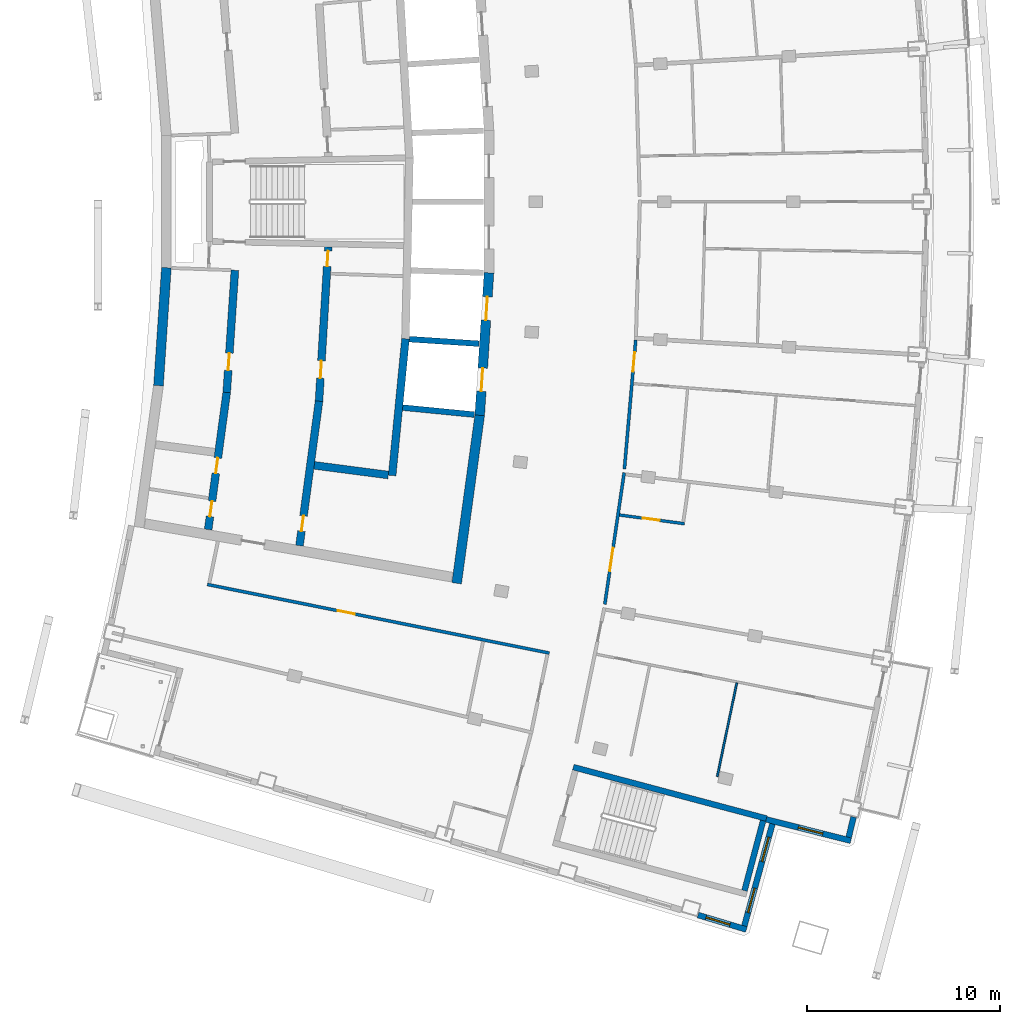
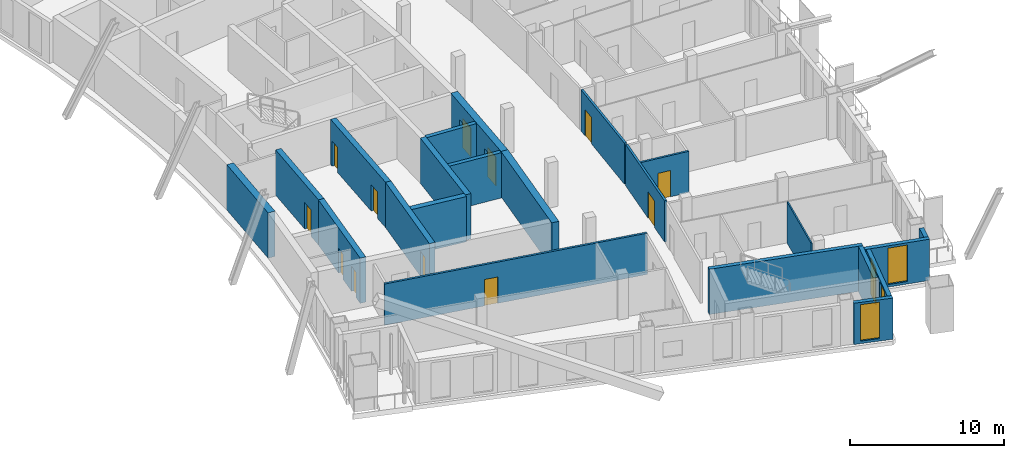
# One storey, part 8 of 17: 22 walls, 12 doors, 4 windows, 16 openings.
"""IFC4 building model written with IfcOpenShell, lengths in metres."""

from ifc_helpers import new_model, si_unit, direction, frame, frame_2d, origin, place, context, subcontext, project, spatial, rectangle, extrude, material, layer, layer_set, type_object, element, fill, save


model = new_model("IFC4")

# Units and contexts
model_context = context("Model", 3, precision=1e-05, world=origin(), true_north=direction((0.0, 1.0)))
body_context = subcontext(model_context, "Body", "Model", "MODEL_VIEW")
ifc_project = project(units=[si_unit("LENGTHUNIT", "METRE"), si_unit("AREAUNIT", "SQUARE_METRE"), si_unit("VOLUMEUNIT", "CUBIC_METRE"), si_unit("PLANEANGLEUNIT", "RADIAN"), si_unit("MASSUNIT", "GRAM", prefix="KILO")], contexts=[model_context])

# Site, building, storey
site_placement = place(None, origin())
site = spatial("IfcSite", under=ifc_project, at=site_placement, CompositionType="ELEMENT")
building_placement = place(site_placement, origin())
building = spatial("IfcBuilding", under=site, at=building_placement, Name="Alderwake Tower", CompositionType="ELEMENT")
storey_placement = place(building_placement, frame((0.0, 0.0, 278.0)))
storey = spatial("IfcBuildingStorey", under=building, at=storey_placement, Name="L69", CompositionType="ELEMENT", Elevation=278.0)

# Walls
ifc_material_1 = material(Name="Concrete C70/85", Category="concrete")
ifc_layer_1 = layer(ifc_material_1, 0.5)
ifc_layer_set_1 = layer_set([ifc_layer_1], Name="Core wall outer 500 C70-85")
wall_type_1 = type_object("IfcWallType", Name="Core wall outer 500 C70-85", PredefinedType="SHEAR", material=ifc_layer_set_1)
wall_1_placement = place(storey_placement, frame((16.280517578125, 51.4765625, 0.0), z_axis=(0.0, 0.0, 1.0), x_axis=(0.066863022947, 0.997762164127, 0.0)))
element("IfcWall", 1, at=wall_1_placement, inside=storey, type_object=wall_type_1, Name="Core wall CW.027", PredefinedType="SHEAR", context=body_context, shape_type="SweptSolid", body=[
    extrude(rectangle(XDim=6.123291015625, YDim=0.5, at=frame_2d((3.0615234375, 0.0))), origin(), (0.0, 0.0, 1.0), 3.60009765625),
])
wall_2_placement = place(storey_placement, frame((31.71728515625, 41.247314453125, 0.0), z_axis=(0.0, 0.0, 1.0), x_axis=(0.1358539401, 0.990728876615, 0.0)))
element("IfcWall", 2, at=wall_2_placement, inside=storey, type_object=wall_type_1, Name="Core wall CW.022", PredefinedType="SHEAR", context=body_context, shape_type="SweptSolid", body=[
    extrude(rectangle(XDim=8.794921875, YDim=0.5, at=frame_2d((4.3974609375, 0.0))), origin(), (0.0, 0.0, 1.0), 3.60009765625),
])

# Wall, openings, doors
wall_3_placement = place(storey_placement, frame((32.91015625, 49.942138671875, 0.0), z_axis=(0.0, 0.0, 1.0), x_axis=(0.064980500916, 0.997886533881, 0.0)))
wall_3 = element("IfcWall", 3, at=wall_3_placement, inside=storey, type_object=wall_type_1, Name="Core wall CW.021", PredefinedType="SHEAR", context=body_context, shape_type="SweptSolid", body=[
    extrude(rectangle(XDim=7.39404296875, YDim=0.5, at=frame_2d((3.697021484375, 0.0))), origin(), (0.0, 0.0, 1.0), 3.60009765625),
])
opening_1_placement = place(wall_3_placement, frame((1.253173828125, 0.0, 0.0)))
opening_1 = element("IfcOpeningElement", 4, at=opening_1_placement, cuts=wall_3, Name="Opening LD-HP1", PredefinedType="OPENING", context=body_context, shape_type="SweptSolid", body=[
    extrude(rectangle(XDim=1.199951171875, YDim=2.300048828125, at=frame_2d((0.60009765625, 1.14990234375))), frame((0.0, 0.260009765625, 0.0), z_axis=(0.0, -1.0, 0.0), x_axis=(1.0, 0.0, 0.0)), (0.0, 0.0, 1.0), 0.52001953125),
])
opening_2_placement = place(wall_3_placement, frame((4.941650390625, 0.0, 0.0)))
opening_2 = element("IfcOpeningElement", 5, at=opening_2_placement, cuts=wall_3, Name="Opening LD-HP2", PredefinedType="OPENING", context=body_context, shape_type="SweptSolid", body=[
    extrude(rectangle(XDim=1.199951171875, YDim=2.300048828125, at=frame_2d((0.60009765625, 1.14990234375))), frame((0.0, 0.260009765625, 0.0), z_axis=(0.0, -1.0, 0.0), x_axis=(1.0, 0.0, 0.0)), (0.0, 0.0, 1.0), 0.52001953125),
])
ifc_material_2 = material(Name="Stainless steel sliding leaf", Category="steel")
door_type_1 = type_object("IfcDoorType", Name="Lift landing door 1200", OperationType="SLIDING_TO_LEFT", PredefinedType="DOOR", material=ifc_material_2)
door_1_placement = place(opening_1_placement, origin())
door_1 = element("IfcDoor", 6, at=door_1_placement, inside=storey, type_object=door_type_1, Name="Lift landing door HP1", OperationType="SLIDING_TO_LEFT", OverallHeight=2.300048828125, OverallWidth=1.199951171875, PredefinedType="DOOR", context=body_context, shape_type="SweptSolid", body=[
    extrude(rectangle(XDim=1.199951171875, YDim=2.300048828125, at=frame_2d((0.60009765625, 1.14990234375))), frame((0.0, 0.02490234375, 0.0), z_axis=(0.0, -1.0, 0.0), x_axis=(1.0, 0.0, 0.0)), (0.0, 0.0, 1.0), 0.050048828125),
])
fill(opening_1, door_1)
door_2_placement = place(opening_2_placement, origin())
door_2 = element("IfcDoor", 7, at=door_2_placement, inside=storey, type_object=door_type_1, Name="Lift landing door HP2", OperationType="SLIDING_TO_LEFT", OverallHeight=2.300048828125, OverallWidth=1.199951171875, PredefinedType="DOOR", context=body_context, shape_type="SweptSolid", body=[
    extrude(rectangle(XDim=1.199951171875, YDim=2.300048828125, at=frame_2d((0.60009765625, 1.14990234375))), frame((0.0, 0.02490234375, 0.0), z_axis=(0.0, -1.0, 0.0), x_axis=(1.0, 0.0, 0.0)), (0.0, 0.0, 1.0), 0.050048828125),
])
fill(opening_2, door_2)

# Walls
ifc_material_3 = material(Name="Concrete C70/85", Category="concrete")
ifc_layer_2 = layer(ifc_material_3, 0.300048828125)
ifc_layer_set_2 = layer_set([ifc_layer_2], Name="Core wall shaft 300 C70-85")
wall_type_2 = type_object("IfcWallType", Name="Core wall shaft 300 C70-85", PredefinedType="SHEAR", material=ifc_layer_set_2)
wall_4_placement = place(storey_placement, frame((28.922119140625, 50.341796875, 0.0), z_axis=(0.0, 0.0, 1.0), x_axis=(0.995245719762, -0.097395879255, 0.0)))
element("IfcWall", 8, at=wall_4_placement, inside=storey, type_object=wall_type_2, Name="Core wall CW.064", PredefinedType="SHEAR", context=body_context, shape_type="SweptSolid", body=[
    extrude(rectangle(XDim=3.7275390625, YDim=0.300048828125, at=frame_2d((1.86376953125, 0.0))), origin(), (0.0, 0.0, 1.0), 3.60009765625),
])
wall_5_placement = place(storey_placement, frame((29.268798828125, 53.884521484375, 0.0), z_axis=(0.0, 0.0, 1.0), x_axis=(0.997885735437, -0.064992761217, 0.0)))
element("IfcWall", 9, at=wall_5_placement, inside=storey, type_object=wall_type_2, Name="Core wall CW.078", PredefinedType="SHEAR", context=body_context, shape_type="SweptSolid", body=[
    extrude(rectangle(XDim=3.60986328125, YDim=0.300048828125, at=frame_2d((1.804931640625, 0.0))), origin(), (0.0, 0.0, 1.0), 3.60009765625),
])

# Wall, openings, doors
ifc_material_4 = material(Name="Concrete C70/85", Category="concrete")
ifc_layer_3 = layer(ifc_material_4, 0.39990234375)
ifc_layer_set_3 = layer_set([ifc_layer_3], Name="Core wall spine 400 C70-85")
wall_type_3 = type_object("IfcWallType", Name="Core wall spine 400 C70-85", PredefinedType="SHEAR", material=ifc_layer_set_3)
wall_6_placement = place(storey_placement, frame((19.814697265625, 51.143798828125, 0.0), z_axis=(0.0, 0.0, 1.0), x_axis=(-0.133823115837, -0.991005233925, 0.0)))
wall_6 = element("IfcWall", 10, at=wall_6_placement, inside=storey, type_object=wall_type_3, Name="Core wall CW.033", PredefinedType="SHEAR", context=body_context, shape_type="SweptSolid", body=[
    extrude(rectangle(XDim=7.1787109375, YDim=0.39990234375, at=frame_2d((3.58935546875, 0.0))), origin(), (0.0, 0.0, 1.0), 3.60009765625),
])
opening_3_placement = place(wall_6_placement, frame((5.69677734375, 0.0, 0.0)))
opening_3 = element("IfcOpeningElement", 11, at=opening_3_placement, cuts=wall_6, Name="Opening C009", PredefinedType="OPENING", context=body_context, shape_type="SweptSolid", body=[
    extrude(rectangle(XDim=0.800048828125, YDim=2.0, at=frame_2d((0.39990234375, 1.0))), frame((0.0, 0.2099609375, 0.0), z_axis=(0.0, -1.0, 0.0), x_axis=(1.0, 0.0, 0.0)), (0.0, 0.0, 1.0), 0.419921875),
])
opening_4_placement = place(wall_6_placement, frame((3.443115234375, 0.0, 0.0)))
opening_4 = element("IfcOpeningElement", 12, at=opening_4_placement, cuts=wall_6, Name="Opening C010", PredefinedType="OPENING", context=body_context, shape_type="SweptSolid", body=[
    extrude(rectangle(XDim=0.800048828125, YDim=2.0, at=frame_2d((0.39990234375, 1.0))), frame((0.0, 0.2099609375, 0.0), z_axis=(0.0, -1.0, 0.0), x_axis=(1.0, 0.0, 0.0)), (0.0, 0.0, 1.0), 0.419921875),
])
ifc_material_5 = material(Name="Painted steel leaf, rated", Category="steel")
door_type_2 = type_object("IfcDoorType", Name="Riser access door 800", OperationType="SINGLE_SWING_LEFT", PredefinedType="DOOR", material=ifc_material_5)
door_3_placement = place(opening_3_placement, origin())
door_3 = element("IfcDoor", 13, at=door_3_placement, inside=storey, type_object=door_type_2, Name="Riser access door", OperationType="SINGLE_SWING_LEFT", OverallHeight=2.0, OverallWidth=0.800048828125, PredefinedType="DOOR", context=body_context, shape_type="SweptSolid", body=[
    extrude(rectangle(XDim=0.800048828125, YDim=2.0, at=frame_2d((0.39990234375, 1.0))), frame((0.0, 0.02490234375, 0.0), z_axis=(0.0, -1.0, 0.0), x_axis=(1.0, 0.0, 0.0)), (0.0, 0.0, 1.0), 0.050048828125),
])
fill(opening_3, door_3)
door_4_placement = place(opening_4_placement, origin())
door_4 = element("IfcDoor", 14, at=door_4_placement, inside=storey, type_object=door_type_2, Name="Riser access door", OperationType="SINGLE_SWING_RIGHT", OverallHeight=2.0, OverallWidth=0.800048828125, PredefinedType="DOOR", context=body_context, shape_type="SweptSolid", body=[
    extrude(rectangle(XDim=0.800048828125, YDim=2.0, at=frame_2d((0.39990234375, 1.0))), frame((0.0, 0.02490234375, 0.0), z_axis=(0.0, -1.0, 0.0), x_axis=(1.0, 0.0, 0.0)), (0.0, 0.0, 1.0), 0.050048828125),
])
fill(opening_4, door_4)

# Wall, opening, door
wall_7_placement = place(storey_placement, frame((20.2373046875, 57.451904296875, 0.0), z_axis=(0.0, 0.0, 1.0), x_axis=(-0.066884681503, -0.997760712486, 0.0)))
wall_7 = element("IfcWall", 15, at=wall_7_placement, inside=storey, type_object=wall_type_3, Name="Core wall CW.032", PredefinedType="SHEAR", context=body_context, shape_type="SweptSolid", body=[
    extrude(rectangle(XDim=6.336669921875, YDim=0.39990234375, at=frame_2d((3.16845703125, 0.0))), origin(), (0.0, 0.0, 1.0), 3.60009765625),
])
opening_5_placement = place(wall_7_placement, frame((4.29736328125, 0.0, 0.0)))
opening_5 = element("IfcOpeningElement", 16, at=opening_5_placement, cuts=wall_7, Name="Opening C037", PredefinedType="OPENING", context=body_context, shape_type="SweptSolid", body=[
    extrude(rectangle(XDim=0.89990234375, YDim=2.10009765625, at=frame_2d((0.449951171875, 1.050048828125))), frame((0.0, 0.2099609375, 0.0), z_axis=(0.0, -1.0, 0.0), x_axis=(1.0, 0.0, 0.0)), (0.0, 0.0, 1.0), 0.419921875),
])
ifc_material_6 = material(Name="Painted steel leaf", Category="steel")
door_type_3 = type_object("IfcDoorType", Name="Core room door 900", OperationType="SINGLE_SWING_LEFT", PredefinedType="DOOR", material=ifc_material_6)
door_5_placement = place(opening_5_placement, origin())
door_5 = element("IfcDoor", 17, at=door_5_placement, inside=storey, type_object=door_type_3, Name="Room door", OperationType="SINGLE_SWING_RIGHT", OverallHeight=2.10009765625, OverallWidth=0.89990234375, PredefinedType="DOOR", context=body_context, shape_type="SweptSolid", body=[
    extrude(rectangle(XDim=0.89990234375, YDim=2.10009765625, at=frame_2d((0.449951171875, 1.050048828125))), frame((0.0, 0.02490234375, 0.0), z_axis=(0.0, -1.0, 0.0), x_axis=(1.0, 0.0, 0.0)), (0.0, 0.0, 1.0), 0.050048828125),
])
fill(opening_5, door_5)

wall_8_placement = place(storey_placement, frame((23.58056640625, 43.19384765625, 0.0), z_axis=(0.0, 0.0, 1.0), x_axis=(0.133962545762, 0.990986395635, 0.0)))
wall_8 = element("IfcWall", 18, at=wall_8_placement, inside=storey, type_object=wall_type_3, Name="Core wall CW.047", PredefinedType="SHEAR", context=body_context, shape_type="SweptSolid", body=[
    extrude(rectangle(XDim=7.546875, YDim=0.39990234375, at=frame_2d((3.7734375, 0.0))), origin(), (0.0, 0.0, 1.0), 3.60009765625),
])
opening_6_placement = place(wall_8_placement, frame((0.7578125, 0.0, 0.0)))
opening_6 = element("IfcOpeningElement", 19, at=opening_6_placement, cuts=wall_8, Name="Opening C013", PredefinedType="OPENING", context=body_context, shape_type="SweptSolid", body=[
    extrude(rectangle(XDim=0.800048828125, YDim=2.0, at=frame_2d((0.39990234375, 1.0))), frame((0.0, 0.2099609375, 0.0), z_axis=(0.0, -1.0, 0.0), x_axis=(1.0, 0.0, 0.0)), (0.0, 0.0, 1.0), 0.419921875),
])
door_6_placement = place(opening_6_placement, origin())
door_6 = element("IfcDoor", 20, at=door_6_placement, inside=storey, type_object=door_type_2, Name="Riser access door", OperationType="SINGLE_SWING_LEFT", OverallHeight=2.0, OverallWidth=0.800048828125, PredefinedType="DOOR", context=body_context, shape_type="SweptSolid", body=[
    extrude(rectangle(XDim=0.800048828125, YDim=2.0, at=frame_2d((0.39990234375, 1.0))), frame((0.0, 0.02490234375, 0.0), z_axis=(0.0, -1.0, 0.0), x_axis=(1.0, 0.0, 0.0)), (0.0, 0.0, 1.0), 0.050048828125),
])
fill(opening_6, door_6)

# Wall, openings, doors
wall_9_placement = place(storey_placement, frame((24.590087890625, 50.65673828125, 0.0), z_axis=(0.0, 0.0, 1.0), x_axis=(0.060318641452, 0.998179173041, 0.0)))
wall_9 = element("IfcWall", 21, at=wall_9_placement, inside=storey, type_object=wall_type_3, Name="Core wall CW.046", PredefinedType="SHEAR", context=body_context, shape_type="SweptSolid", body=[
    extrude(rectangle(XDim=8.022216796875, YDim=0.39990234375, at=frame_2d((4.01123046875, 0.0))), origin(), (0.0, 0.0, 1.0), 3.60009765625),
])
opening_7_placement = place(wall_9_placement, frame((7.006103515625, 0.0, 0.0)))
opening_7 = element("IfcOpeningElement", 22, at=opening_7_placement, cuts=wall_9, Name="Opening C006", PredefinedType="OPENING", context=body_context, shape_type="SweptSolid", body=[
    extrude(rectangle(XDim=0.800048828125, YDim=2.0, at=frame_2d((0.39990234375, 1.0))), frame((0.0, 0.2099609375, 0.0), z_axis=(0.0, -1.0, 0.0), x_axis=(1.0, 0.0, 0.0)), (0.0, 0.0, 1.0), 0.419921875),
])
opening_8_placement = place(wall_9_placement, frame((1.21533203125, 0.0, 0.0)))
opening_8 = element("IfcOpeningElement", 23, at=opening_8_placement, cuts=wall_9, Name="Opening C043", PredefinedType="OPENING", context=body_context, shape_type="SweptSolid", body=[
    extrude(rectangle(XDim=0.89990234375, YDim=2.10009765625, at=frame_2d((0.449951171875, 1.050048828125))), frame((0.0, 0.2099609375, 0.0), z_axis=(0.0, -1.0, 0.0), x_axis=(1.0, 0.0, 0.0)), (0.0, 0.0, 1.0), 0.419921875),
])
door_7_placement = place(opening_8_placement, origin())
door_7 = element("IfcDoor", 24, at=door_7_placement, inside=storey, type_object=door_type_3, Name="Room door", OperationType="SINGLE_SWING_LEFT", OverallHeight=2.10009765625, OverallWidth=0.89990234375, PredefinedType="DOOR", context=body_context, shape_type="SweptSolid", body=[
    extrude(rectangle(XDim=0.89990234375, YDim=2.10009765625, at=frame_2d((0.449951171875, 1.050048828125))), frame((0.0, 0.02490234375, 0.0), z_axis=(0.0, -1.0, 0.0), x_axis=(1.0, 0.0, 0.0)), (0.0, 0.0, 1.0), 0.050048828125),
])
fill(opening_8, door_7)
door_8_placement = place(opening_7_placement, origin())
door_8 = element("IfcDoor", 25, at=door_8_placement, inside=storey, type_object=door_type_2, Name="Riser access door", OperationType="SINGLE_SWING_RIGHT", OverallHeight=2.0, OverallWidth=0.800048828125, PredefinedType="DOOR", context=body_context, shape_type="SweptSolid", body=[
    extrude(rectangle(XDim=0.800048828125, YDim=2.0, at=frame_2d((0.39990234375, 1.0))), frame((0.0, 0.02490234375, 0.0), z_axis=(0.0, -1.0, 0.0), x_axis=(1.0, 0.0, 0.0)), (0.0, 0.0, 1.0), 0.050048828125),
])
fill(opening_7, door_8)

# Walls
wall_10_placement = place(storey_placement, frame((28.376953125, 46.8251953125, 0.0), z_axis=(0.0, 0.0, 1.0), x_axis=(0.097393469943, 0.995245955537, 0.0)))
element("IfcWall", 26, at=wall_10_placement, inside=storey, type_object=wall_type_3, Name="Core wall CW.005", PredefinedType="SHEAR", context=body_context, shape_type="SweptSolid", body=[
    extrude(rectangle(XDim=7.1142578125, YDim=0.39990234375, at=frame_2d((3.55712890625, 0.0))), origin(), (0.0, 0.0, 1.0), 3.60009765625),
])
wall_11_placement = place(storey_placement, frame((24.344482421875, 47.3525390625, 0.0), z_axis=(0.0, 0.0, 1.0), x_axis=(0.991554578278, -0.12969008557, 0.0)))
element("IfcWall", 27, at=wall_11_placement, inside=storey, type_object=wall_type_3, Name="Core wall CW.069", PredefinedType="SHEAR", context=body_context, shape_type="SweptSolid", body=[
    extrude(rectangle(XDim=3.86669921875, YDim=0.39990234375, at=frame_2d((1.933349609375, 0.0))), origin(), (0.0, 0.0, 1.0), 3.60009765625),
])
ifc_material_7 = material(Name="Concrete C70/85", Category="concrete")
ifc_layer_4 = layer(ifc_material_7, 0.300048828125)
ifc_layer_set_4 = layer_set([ifc_layer_4], Name="Core wall stair enclosure 300 C70-85")
wall_type_4 = type_object("IfcWallType", Name="Core wall stair enclosure 300 C70-85", PredefinedType="SHEAR", material=ifc_layer_set_4)
wall_12_placement = place(storey_placement, frame((37.75390625, 31.731201171875, 0.0), z_axis=(0.0, 0.0, 1.0), x_axis=(0.966309214305, -0.257383958996, 0.0)))
element("IfcWall", 28, at=wall_12_placement, inside=storey, type_object=wall_type_4, Name="Core wall CW.086", PredefinedType="SHEAR", context=body_context, shape_type="SweptSolid", body=[
    extrude(rectangle(XDim=10.360107421875, YDim=0.300048828125, at=frame_2d((5.18017578125, 0.0))), origin(), (0.0, 0.0, 1.0), 3.60009765625),
])
wall_13_placement = place(storey_placement, frame((46.6162109375, 25.334716796875, 0.0), z_axis=(0.0, 0.0, 1.0), x_axis=(0.257366821694, 0.966313778796, 0.0)))
element("IfcWall", 29, at=wall_13_placement, inside=storey, type_object=wall_type_4, Name="Core wall CW.085", PredefinedType="SHEAR", context=body_context, shape_type="SweptSolid", body=[
    extrude(rectangle(XDim=3.749755859375, YDim=0.300048828125, at=frame_2d((1.875, 0.0))), origin(), (0.0, 0.0, 1.0), 3.60009765625),
])

# Wall, opening, door
ifc_material_8 = material(Name="Gypsum board on metal studs, rated")
ifc_layer_5 = layer(ifc_material_8, 0.159912109375)
ifc_layer_set_5 = layer_set([ifc_layer_5], Name="Corridor wall 160")
wall_type_5 = type_object("IfcWallType", Name="Corridor wall 160", PredefinedType="PARTITIONING", material=ifc_layer_set_5)
wall_14_placement = place(storey_placement, frame((36.513427734375, 37.63427734375, 0.0), z_axis=(0.0, 0.0, 1.0), x_axis=(-0.980470254867, 0.1966674333, 0.0)))
wall_14 = element("IfcWall", 30, at=wall_14_placement, inside=storey, type_object=wall_type_5, Name="WL/L69/W10", PredefinedType="PARTITIONING", context=body_context, shape_type="SweptSolid", body=[
    extrude(rectangle(XDim=18.053466796875, YDim=0.159912109375, at=frame_2d((9.02685546875, 0.0))), origin(), (0.0, 0.0, 1.0), 3.280029296875),
])
opening_9_placement = place(wall_14_placement, frame((10.277099609375, 0.0, 0.0)))
opening_9 = element("IfcOpeningElement", 31, at=opening_9_placement, cuts=wall_14, Name="Opening R20-SBS1", PredefinedType="OPENING", context=body_context, shape_type="SweptSolid", body=[
    extrude(rectangle(XDim=0.89990234375, YDim=2.10009765625, at=frame_2d((0.449951171875, 1.050048828125))), frame((0.0, 0.08984375, 0.0), z_axis=(0.0, -1.0, 0.0), x_axis=(1.0, 0.0, 0.0)), (0.0, 0.0, 1.0), 0.179931640625),
])
ifc_material_9 = material(Name="Painted timber leaf", Category="wood")
door_type_4 = type_object("IfcDoorType", Name="Room door 900", OperationType="SINGLE_SWING_LEFT", PredefinedType="DOOR", material=ifc_material_9)
door_9_placement = place(opening_9_placement, origin())
door_9 = element("IfcDoor", 32, at=door_9_placement, inside=storey, type_object=door_type_4, Name="DR/L69/SBS1", OperationType="SINGLE_SWING_LEFT", OverallHeight=2.10009765625, OverallWidth=0.89990234375, PredefinedType="DOOR", context=body_context, shape_type="SweptSolid", body=[
    extrude(rectangle(XDim=0.89990234375, YDim=2.10009765625, at=frame_2d((0.449951171875, 1.050048828125))), frame((0.0, 0.02490234375, 0.0), z_axis=(0.0, -1.0, 0.0), x_axis=(1.0, 0.0, 0.0)), (0.0, 0.0, 1.0), 0.050048828125),
])
fill(opening_9, door_9)

wall_15_placement = place(storey_placement, frame((40.388671875, 46.97216796875, 0.0), z_axis=(0.0, 0.0, 1.0), x_axis=(-0.145535848078, -0.989352978933, 0.0)))
wall_15 = element("IfcWall", 33, at=wall_15_placement, inside=storey, type_object=wall_type_5, Name="WL/L69/W19", PredefinedType="PARTITIONING", context=body_context, shape_type="SweptSolid", body=[
    extrude(rectangle(XDim=6.884521484375, YDim=0.159912109375, at=frame_2d((3.4423828125, 0.0))), origin(), (0.0, 0.0, 1.0), 3.280029296875),
])
opening_10_placement = place(wall_15_placement, frame((3.943115234375, 0.0, 0.0)))
opening_10 = element("IfcOpeningElement", 34, at=opening_10_placement, cuts=wall_15, Name="Opening R20-AM1.1", PredefinedType="OPENING", context=body_context, shape_type="SweptSolid", body=[
    extrude(rectangle(XDim=1.199951171875, YDim=2.10009765625, at=frame_2d((0.60009765625, 1.050048828125))), frame((0.0, 0.08984375, 0.0), z_axis=(0.0, -1.0, 0.0), x_axis=(1.0, 0.0, 0.0)), (0.0, 0.0, 1.0), 0.179931640625),
])
ifc_material_10 = material(Name="Steel-framed fire door leaf", Category="steel")
door_type_5 = type_object("IfcDoorType", Name="Lobby door 1200 fire-rated", OperationType="SINGLE_SWING_LEFT", PredefinedType="DOOR", material=ifc_material_10)
door_10_placement = place(opening_10_placement, origin())
door_10 = element("IfcDoor", 35, at=door_10_placement, inside=storey, type_object=door_type_5, Name="DR/L69/AM1.1", OperationType="SINGLE_SWING_LEFT", OverallHeight=2.10009765625, OverallWidth=1.199951171875, PredefinedType="DOOR", context=body_context, shape_type="SweptSolid", body=[
    extrude(rectangle(XDim=1.199951171875, YDim=2.10009765625, at=frame_2d((0.60009765625, 1.050048828125))), frame((0.0, 0.02490234375, 0.0), z_axis=(0.0, -1.0, 0.0), x_axis=(1.0, 0.0, 0.0)), (0.0, 0.0, 1.0), 0.050048828125),
])
fill(opening_10, door_10)

wall_16_placement = place(storey_placement, frame((40.986328125, 53.834228515625, 0.0), z_axis=(0.0, 0.0, 1.0), x_axis=(-0.087437661692, -0.996169993183, 0.0)))
wall_16 = element("IfcWall", 36, at=wall_16_placement, inside=storey, type_object=wall_type_5, Name="WL/L69/W21", PredefinedType="PARTITIONING", context=body_context, shape_type="SweptSolid", body=[
    extrude(rectangle(XDim=6.701171875, YDim=0.159912109375, at=frame_2d((3.3505859375, 0.0))), origin(), (0.0, 0.0, 1.0), 3.280029296875),
])
opening_11_placement = place(wall_16_placement, frame((0.628173828125, 0.0, 0.0)))
opening_11 = element("IfcOpeningElement", 37, at=opening_11_placement, cuts=wall_16, Name="Opening R20-U04.2", PredefinedType="OPENING", context=body_context, shape_type="SweptSolid", body=[
    extrude(rectangle(XDim=1.0, YDim=2.10009765625, at=frame_2d((0.5, 1.050048828125))), frame((0.0, 0.08984375, 0.0), z_axis=(0.0, -1.0, 0.0), x_axis=(1.0, 0.0, 0.0)), (0.0, 0.0, 1.0), 0.179931640625),
])
ifc_material_11 = material(Name="Solid timber leaf in steel frame", Category="steel")
door_type_6 = type_object("IfcDoorType", Name="Flat entrance door 1000 fire-rated", OperationType="SINGLE_SWING_LEFT", PredefinedType="DOOR", material=ifc_material_11)
door_11_placement = place(opening_11_placement, origin())
door_11 = element("IfcDoor", 38, at=door_11_placement, inside=storey, type_object=door_type_6, Name="DR/L69/U04.2", OperationType="SINGLE_SWING_LEFT", OverallHeight=2.10009765625, OverallWidth=1.0, PredefinedType="DOOR", context=body_context, shape_type="SweptSolid", body=[
    extrude(rectangle(XDim=1.0, YDim=2.10009765625, at=frame_2d((0.5, 1.050048828125))), frame((0.0, 0.02490234375, 0.0), z_axis=(0.0, -1.0, 0.0), x_axis=(1.0, 0.0, 0.0)), (0.0, 0.0, 1.0), 0.050048828125),
])
fill(opening_11, door_11)

# Wall
ifc_material_12 = material(Name="Precast concrete C50/60 spandrel panel", Category="concrete")
ifc_layer_6 = layer(ifc_material_12, 0.300048828125)
ifc_layer_set_6 = layer_set([ifc_layer_6], Name="External wall EW1 Precast concrete C50/60 spandrel")
wall_type_6 = type_object("IfcWallType", Name="External wall EW1 Precast concrete C50/60 spandrel", PredefinedType="SOLIDWALL", material=ifc_layer_set_6)
wall_17_placement = place(storey_placement, frame((52.009521484375, 28.10107421875, 0.0), z_axis=(0.0, 0.0, 1.0), x_axis=(0.238378653111, 0.971172290452, 0.0)))
element("IfcWall", 39, at=wall_17_placement, inside=storey, type_object=wall_type_6, Name="External wall 11", PredefinedType="SOLIDWALL", context=body_context, shape_type="SweptSolid", body=[
    extrude(rectangle(XDim=1.078369140625, YDim=0.300048828125, at=frame_2d((0.5390625, 0.0))), origin(), (0.0, 0.0, 1.0), 3.280029296875),
])

# Wall, opening, window
ifc_material_13 = material(Name="Bronze metal cladding on lightweight framing")
ifc_layer_7 = layer(ifc_material_13, 0.300048828125)
ifc_layer_set_7 = layer_set([ifc_layer_7], Name="External wall EW2 bronze metal cladding")
wall_type_7 = type_object("IfcWallType", Name="External wall EW2 bronze metal cladding", PredefinedType="SOLIDWALL", material=ifc_layer_set_7)
wall_18_placement = place(storey_placement, frame((44.21142578125, 24.073486328125, 0.0), z_axis=(0.0, 0.0, 1.0), x_axis=(0.957782557739, -0.287493603567, 0.0)))
wall_18 = element("IfcWall", 40, at=wall_18_placement, inside=storey, type_object=wall_type_7, Name="External wall 8", PredefinedType="SOLIDWALL", context=body_context, shape_type="SweptSolid", body=[
    extrude(rectangle(XDim=2.613037109375, YDim=0.300048828125, at=frame_2d((1.306640625, 0.0))), origin(), (0.0, 0.0, 1.0), 3.280029296875),
])
opening_12_placement = place(wall_18_placement, frame((0.4306640625, 0.0, 0.199951171875)))
opening_12 = element("IfcOpeningElement", 41, at=opening_12_placement, cuts=wall_18, Name="Opening W1", PredefinedType="OPENING", context=body_context, shape_type="SweptSolid", body=[
    extrude(rectangle(XDim=1.300048828125, YDim=2.89990234375, at=frame_2d((0.64990234375, 1.449951171875))), frame((0.0, 0.159912109375, 0.0), z_axis=(0.0, -1.0, 0.0), x_axis=(1.0, 0.0, 0.0)), (0.0, 0.0, 1.0), 0.320068359375),
])
ifc_material_14 = material(Name="Bronze tinted glass in aluminium frame", Category="aluminium")
window_type = type_object("IfcWindowType", Name="Window W1 tall fixed and vent", PartitioningType="DOUBLE_PANEL_VERTICAL", PredefinedType="WINDOW", material=ifc_material_14)
window_1_placement = place(opening_12_placement, origin())
window_1 = element("IfcWindow", 42, at=window_1_placement, inside=storey, type_object=window_type, Name="Window W1 tall fixed and vent", OverallHeight=2.89990234375, OverallWidth=1.300048828125, PartitioningType="DOUBLE_PANEL_VERTICAL", PredefinedType="WINDOW", context=body_context, shape_type="SweptSolid", body=[
    extrude(rectangle(XDim=1.300048828125, YDim=2.89990234375, at=frame_2d((0.64990234375, 1.449951171875))), frame((0.0, 0.030029296875, 0.0), z_axis=(0.0, -1.0, 0.0), x_axis=(1.0, 0.0, 0.0)), (0.0, 0.0, 1.0), 0.06005859375),
])
fill(opening_12, window_1)

# Wall, openings, windows
wall_19_placement = place(storey_placement, frame((46.610107421875, 23.510009765625, 0.0), z_axis=(0.0, 0.0, 1.0), x_axis=(0.265093283519, 0.964222770439, 0.0)))
wall_19 = element("IfcWall", 43, at=wall_19_placement, inside=storey, type_object=wall_type_7, Name="External wall 9", PredefinedType="SOLIDWALL", context=body_context, shape_type="SweptSolid", body=[
    extrude(rectangle(XDim=5.47705078125, YDim=0.300048828125, at=frame_2d((2.738525390625, 0.0))), origin(), (0.0, 0.0, 1.0), 3.280029296875),
])
opening_13_placement = place(wall_19_placement, frame((0.71923828125, 0.0, 0.199951171875)))
opening_13 = element("IfcOpeningElement", 44, at=opening_13_placement, cuts=wall_19, Name="Opening W1", PredefinedType="OPENING", context=body_context, shape_type="SweptSolid", body=[
    extrude(rectangle(XDim=1.300048828125, YDim=2.89990234375, at=frame_2d((0.64990234375, 1.449951171875))), frame((0.0, 0.159912109375, 0.0), z_axis=(0.0, -1.0, 0.0), x_axis=(1.0, 0.0, 0.0)), (0.0, 0.0, 1.0), 0.320068359375),
])
opening_14_placement = place(wall_19_placement, frame((3.45751953125, 0.0, 0.199951171875)))
opening_14 = element("IfcOpeningElement", 45, at=opening_14_placement, cuts=wall_19, Name="Opening W1", PredefinedType="OPENING", context=body_context, shape_type="SweptSolid", body=[
    extrude(rectangle(XDim=1.300048828125, YDim=2.89990234375, at=frame_2d((0.64990234375, 1.449951171875))), frame((0.0, 0.159912109375, 0.0), z_axis=(0.0, -1.0, 0.0), x_axis=(1.0, 0.0, 0.0)), (0.0, 0.0, 1.0), 0.320068359375),
])
window_2_placement = place(opening_13_placement, origin())
window_2 = element("IfcWindow", 46, at=window_2_placement, inside=storey, type_object=window_type, Name="Window W1 tall fixed and vent", OverallHeight=2.89990234375, OverallWidth=1.300048828125, PartitioningType="DOUBLE_PANEL_VERTICAL", PredefinedType="WINDOW", context=body_context, shape_type="SweptSolid", body=[
    extrude(rectangle(XDim=1.300048828125, YDim=2.89990234375, at=frame_2d((0.64990234375, 1.449951171875))), frame((0.0, 0.030029296875, 0.0), z_axis=(0.0, -1.0, 0.0), x_axis=(1.0, 0.0, 0.0)), (0.0, 0.0, 1.0), 0.06005859375),
])
fill(opening_13, window_2)
window_3_placement = place(opening_14_placement, origin())
window_3 = element("IfcWindow", 47, at=window_3_placement, inside=storey, type_object=window_type, Name="Window W1 tall fixed and vent", OverallHeight=2.89990234375, OverallWidth=1.300048828125, PartitioningType="DOUBLE_PANEL_VERTICAL", PredefinedType="WINDOW", context=body_context, shape_type="SweptSolid", body=[
    extrude(rectangle(XDim=1.300048828125, YDim=2.89990234375, at=frame_2d((0.64990234375, 1.449951171875))), frame((0.0, 0.030029296875, 0.0), z_axis=(0.0, -1.0, 0.0), x_axis=(1.0, 0.0, 0.0)), (0.0, 0.0, 1.0), 0.06005859375),
])
fill(opening_14, window_3)

# Wall, opening, window
wall_20_placement = place(storey_placement, frame((47.7412109375, 29.026611328125, 0.0), z_axis=(0.0, 0.0, 1.0), x_axis=(0.969425979611, -0.245383923793, 0.0)))
wall_20 = element("IfcWall", 48, at=wall_20_placement, inside=storey, type_object=wall_type_7, Name="External wall 10", PredefinedType="SOLIDWALL", context=body_context, shape_type="SweptSolid", body=[
    extrude(rectangle(XDim=4.51611328125, YDim=0.300048828125, at=frame_2d((2.258056640625, 0.0))), origin(), (0.0, 0.0, 1.0), 3.280029296875),
])
opening_15_placement = place(wall_20_placement, frame((1.718994140625, 0.0, 0.199951171875)))
opening_15 = element("IfcOpeningElement", 49, at=opening_15_placement, cuts=wall_20, Name="Opening W1", PredefinedType="OPENING", context=body_context, shape_type="SweptSolid", body=[
    extrude(rectangle(XDim=1.300048828125, YDim=2.89990234375, at=frame_2d((0.64990234375, 1.449951171875))), frame((0.0, 0.159912109375, 0.0), z_axis=(0.0, -1.0, 0.0), x_axis=(1.0, 0.0, 0.0)), (0.0, 0.0, 1.0), 0.320068359375),
])
window_4_placement = place(opening_15_placement, origin())
window_4 = element("IfcWindow", 50, at=window_4_placement, inside=storey, type_object=window_type, Name="Window W1 tall fixed and vent", OverallHeight=2.89990234375, OverallWidth=1.300048828125, PartitioningType="DOUBLE_PANEL_VERTICAL", PredefinedType="WINDOW", context=body_context, shape_type="SweptSolid", body=[
    extrude(rectangle(XDim=1.300048828125, YDim=2.89990234375, at=frame_2d((0.64990234375, 1.449951171875))), frame((0.0, 0.030029296875, 0.0), z_axis=(0.0, -1.0, 0.0), x_axis=(1.0, 0.0, 0.0)), (0.0, 0.0, 1.0), 0.06005859375),
])
fill(opening_15, window_4)

# Wall, opening, door
ifc_material_15 = material(Name="Gypsum shaft wall system, rated")
ifc_layer_8 = layer(ifc_material_15, 0.14990234375)
ifc_layer_set_8 = layer_set([ifc_layer_8], Name="Riser and shaft wall 150")
wall_type_8 = type_object("IfcWallType", Name="Riser and shaft wall 150", PredefinedType="PARTITIONING", material=ifc_layer_set_8)
wall_21_placement = place(storey_placement, frame((40.147216796875, 44.7822265625, 0.0), z_axis=(0.0, 0.0, 1.0), x_axis=(0.991087891329, -0.133209577962, 0.0)))
wall_21 = element("IfcWall", 51, at=wall_21_placement, inside=storey, type_object=wall_type_8, Name="WL/L69/W06", PredefinedType="PARTITIONING", context=body_context, shape_type="SweptSolid", body=[
    extrude(rectangle(XDim=3.394287109375, YDim=0.14990234375, at=frame_2d((1.697265625, 0.0))), origin(), (0.0, 0.0, 1.0), 3.280029296875),
])
opening_16_placement = place(wall_21_placement, frame((1.209228515625, 0.0, 0.0)))
opening_16 = element("IfcOpeningElement", 52, at=opening_16_placement, cuts=wall_21, Name="Opening R20-AM1.2", PredefinedType="OPENING", context=body_context, shape_type="SweptSolid", body=[
    extrude(rectangle(XDim=0.89990234375, YDim=2.10009765625, at=frame_2d((0.449951171875, 1.050048828125))), frame((0.0, 0.0849609375, 0.0), z_axis=(0.0, -1.0, 0.0), x_axis=(1.0, 0.0, 0.0)), (0.0, 0.0, 1.0), 0.169921875),
])
door_12_placement = place(opening_16_placement, origin())
door_12 = element("IfcDoor", 53, at=door_12_placement, inside=storey, type_object=door_type_4, Name="DR/L69/AM1.2", OperationType="SINGLE_SWING_LEFT", OverallHeight=2.10009765625, OverallWidth=0.89990234375, PredefinedType="DOOR", context=body_context, shape_type="SweptSolid", body=[
    extrude(rectangle(XDim=0.89990234375, YDim=2.10009765625, at=frame_2d((0.449951171875, 1.050048828125))), frame((0.0, 0.02490234375, 0.0), z_axis=(0.0, -1.0, 0.0), x_axis=(1.0, 0.0, 0.0)), (0.0, 0.0, 1.0), 0.050048828125),
])
fill(opening_16, door_12)

# Wall
ifc_material_16 = material(Name="Gypsum board on metal studs")
ifc_layer_9 = layer(ifc_material_16, 0.10009765625)
ifc_layer_set_9 = layer_set([ifc_layer_9], Name="Unit partition 100")
wall_type_9 = type_object("IfcWallType", Name="Unit partition 100", PredefinedType="PARTITIONING", material=ifc_layer_set_9)
wall_22_placement = place(storey_placement, frame((45.2099609375, 31.241943359375, 0.0), z_axis=(0.0, 0.0, 1.0), x_axis=(0.203257467048, 0.979125325017, 0.0)))
element("IfcWall", 54, at=wall_22_placement, inside=storey, type_object=wall_type_9, Name="WL/L69/W50", PredefinedType="PARTITIONING", context=body_context, shape_type="SweptSolid", body=[
    extrude(rectangle(XDim=4.95361328125, YDim=0.10009765625, at=frame_2d((2.476806640625, 0.0))), origin(), (0.0, 0.0, 1.0), 3.280029296875),
])

save(model, "model.ifc")
